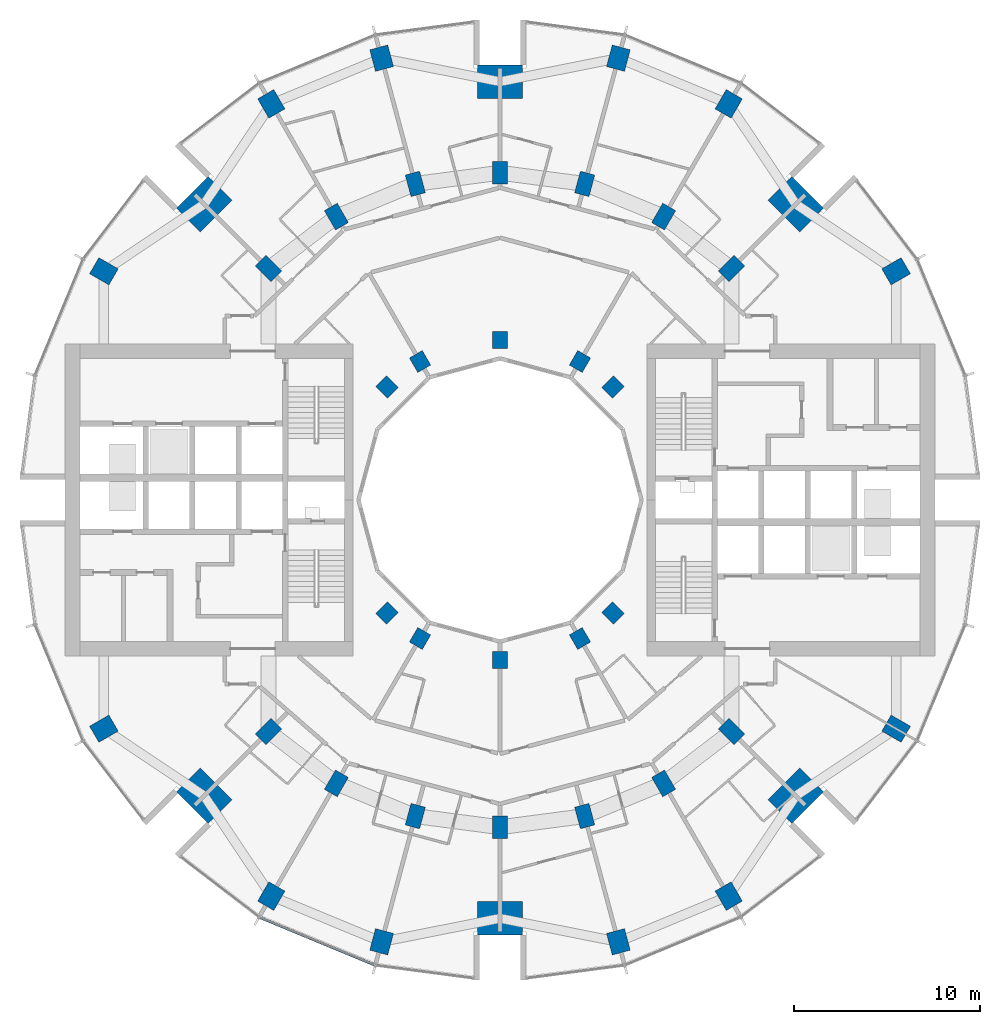
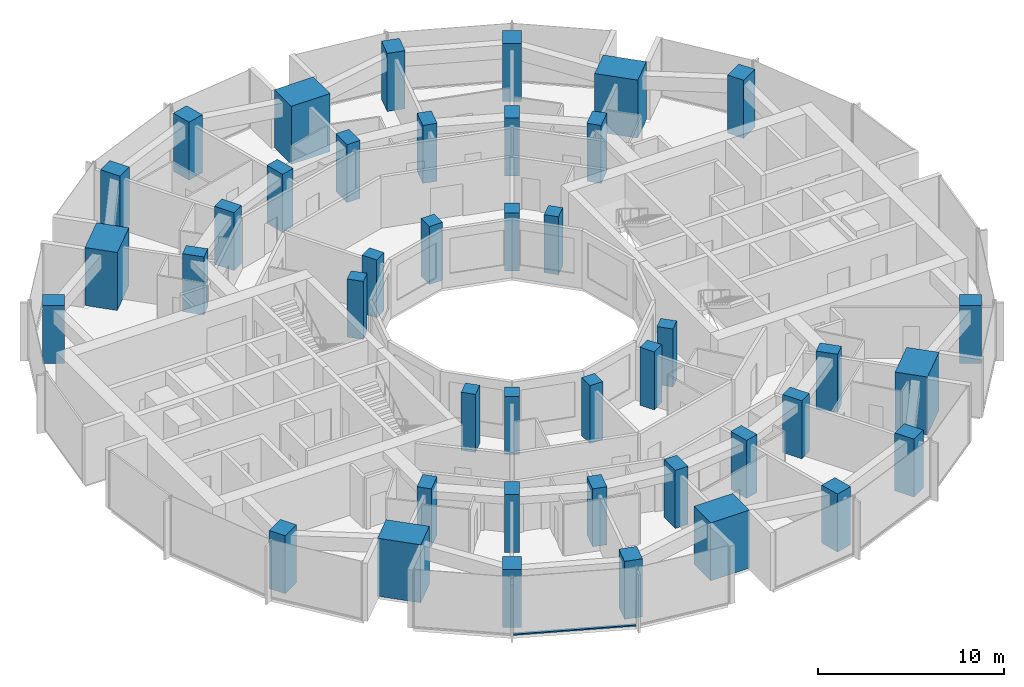
# One storey, part 1 of 15: 42 columns, 1 member, 1 element without a shape of its own.
"""IFC4 building model written with IfcOpenShell, lengths in metres."""

from ifc_helpers import new_model, si_unit, direction, frame, origin, origin_2d, place, context, subcontext, project, spatial, rectangle, extrude, material, layer, layer_set, material_profile, profile_set, type_object, element, aggregate, save


model = new_model("IFC4")

# Units and contexts
model_context = context("Model", 3, precision=1e-05, world=origin(), true_north=direction((0.0, 1.0)))
body_context = subcontext(model_context, "Body", "Model", "MODEL_VIEW")
ifc_project = project(units=[si_unit("LENGTHUNIT", "METRE"), si_unit("AREAUNIT", "SQUARE_METRE"), si_unit("VOLUMEUNIT", "CUBIC_METRE"), si_unit("PLANEANGLEUNIT", "RADIAN"), si_unit("MASSUNIT", "GRAM", prefix="KILO")], contexts=[model_context])

# Site, building, storey
site_placement = place(None, origin())
site = spatial("IfcSite", under=ifc_project, at=site_placement, CompositionType="ELEMENT")
building_placement = place(site_placement, origin())
building = spatial("IfcBuilding", under=site, at=building_placement, Name="Torre Brocal", CompositionType="ELEMENT")
storey_placement = place(building_placement, frame((0.0, 0.0, 44.0)))
storey = spatial("IfcBuildingStorey", under=building, at=storey_placement, Name="L09", CompositionType="ELEMENT", Elevation=44.0)

# Columns
ifc_material_1 = material(Name="Concrete C80", Category="concrete")
ifc_material_profile_1 = material_profile(ifc_material_1, rectangle(XDim=1.199951171875, YDim=1.0, at=origin_2d()), Name="RC 1200X1000")
ifc_profile_set_1 = profile_set([ifc_material_profile_1], Name="Concrete C80")
column_type_1 = type_object("IfcColumnType", Name="RC COLUMN 1200X1000 C80", PredefinedType="COLUMN", material=ifc_profile_set_1)
for number, where, z_axis, x_axis, name in (
    (1, (101.30419921875, 87.300048828125, 0.0), (0.0, 0.0, 1.0), (0.866025403784, 0.5, 0.0), "Column C-O02"),
    (2, (92.300048828125, 96.30419921875, 0.0), (0.0, 0.0, 1.0), (0.5, 0.866025403784, 0.0), "Column C-O04"),
    (3, (86.366943359375, 98.76171875, 0.0), (0.0, 0.0, 1.0), (0.258819045103, 0.965925826289, 0.0), "Column C-O05"),
    (4, (73.633056640625, 98.76171875, 0.0), (0.0, 0.0, 1.0), (-0.258819045103, 0.965925826289, 0.0), "Column C-O07"),
    (5, (67.699951171875, 96.30419921875, 0.0), (0.0, 0.0, 1.0), (-0.5, 0.866025403784, 0.0), "Column C-O08"),
    (6, (58.69580078125, 87.300048828125, 0.0), (0.0, 0.0, 1.0), (-0.866025403784, 0.5, 0.0), "Column C-O10"),
    (7, (58.69580078125, 62.699951171875, 0.0), (0.0, 0.0, 1.0), (-0.866025403784, -0.5, 0.0), "Column C-O14"),
    (8, (67.699951171875, 53.69580078125, 0.0), (0.0, 0.0, 1.0), (-0.5, -0.866025403784, 0.0), "Column C-O16"),
    (9, (73.633056640625, 51.23828125, 0.0), (0.0, 0.0, 1.0), (-0.258819045103, -0.965925826289, 0.0), "Column C-O17"),
    (10, (86.366943359375, 51.23828125, 0.0), (0.0, 0.0, 1.0), (0.258819045103, -0.965925826289, 0.0), "Column C-O19"),
    (11, (92.300048828125, 53.69580078125, 0.0), (0.0, 0.0, 1.0), (0.5, -0.866025403784, 0.0), "Column C-O20"),
    (12, (101.30419921875, 62.699951171875, 0.0), (0.0, 0.0, 1.0), (0.866025403784, -0.5, 0.0), "Column C-O22"),
):
    element("IfcColumn", number, at=place(storey_placement, frame(where, z_axis=z_axis, x_axis=x_axis)), inside=storey, type_object=column_type_1, Name=name, PredefinedType="COLUMN", context=body_context, shape_type="SweptSolid", body=[
        extrude(rectangle(XDim=1.199951171875, YDim=1.0, at=origin_2d()), origin(), (0.0, 0.0, 1.0), 3.800048828125),
    ])
ifc_material_2 = material(Name="Concrete C80", Category="concrete")
ifc_material_profile_2 = material_profile(ifc_material_2, rectangle(XDim=1.199951171875, YDim=0.800048828125, at=origin_2d()), Name="RC 1200X800")
ifc_profile_set_2 = profile_set([ifc_material_profile_2], Name="Concrete C80")
column_type_2 = type_object("IfcColumnType", Name="RC COLUMN 1200X800 C80", PredefinedType="COLUMN", material=ifc_profile_set_2)
for number, where, z_axis, x_axis, name in (
    (13, (92.445068359375, 87.445068359375, 0.0), (0.0, 0.0, 1.0), (0.707106781187, 0.707106781187, 0.0), "Column C-M03"),
    (14, (88.800048828125, 90.241943359375, 0.0), (0.0, 0.0, 1.0), (0.5, 0.866025403784, 0.0), "Column C-M04"),
    (15, (84.55517578125, 92.000244140625, 0.0), (0.0, 0.0, 1.0), (0.258819045103, 0.965925826289, 0.0), "Column C-M05"),
    (16, (80.0, 92.60009765625, 0.0), (0.0, 0.0, 1.0), (0.0, 1.0, 0.0), "Column C-M06"),
    (17, (75.44482421875, 92.000244140625, 0.0), (0.0, 0.0, 1.0), (-0.258819045103, 0.965925826289, 0.0), "Column C-M07"),
    (18, (71.199951171875, 90.241943359375, 0.0), (0.0, 0.0, 1.0), (-0.5, 0.866025403784, 0.0), "Column C-M08"),
    (19, (67.554931640625, 87.445068359375, 0.0), (0.0, 0.0, 1.0), (-0.707106781187, 0.707106781187, 0.0), "Column C-M09"),
    (20, (67.554931640625, 62.554931640625, 0.0), (0.0, 0.0, 1.0), (-0.707106781187, -0.707106781187, 0.0), "Column C-M15"),
    (21, (71.199951171875, 59.758056640625, 0.0), (0.0, 0.0, 1.0), (-0.5, -0.866025403784, 0.0), "Column C-M16"),
    (22, (75.44482421875, 57.999755859375, 0.0), (0.0, 0.0, 1.0), (-0.258819045103, -0.965925826289, 0.0), "Column C-M17"),
    (23, (80.0, 57.39990234375, 0.0), (0.0, 0.0, 1.0), (0.0, -1.0, 0.0), "Column C-M18"),
    (24, (84.55517578125, 57.999755859375, 0.0), (0.0, 0.0, 1.0), (0.258819045103, -0.965925826289, 0.0), "Column C-M19"),
    (25, (88.800048828125, 59.758056640625, 0.0), (0.0, 0.0, 1.0), (0.5, -0.866025403784, 0.0), "Column C-M20"),
    (26, (92.445068359375, 62.554931640625, 0.0), (0.0, 0.0, 1.0), (0.707106781187, -0.707106781187, 0.0), "Column C-M21"),
):
    element("IfcColumn", number, at=place(storey_placement, frame(where, z_axis=z_axis, x_axis=x_axis)), inside=storey, type_object=column_type_2, Name=name, PredefinedType="COLUMN", context=body_context, shape_type="SweptSolid", body=[
        extrude(rectangle(XDim=1.199951171875, YDim=0.800048828125, at=origin_2d()), origin(), (0.0, 0.0, 1.0), 3.800048828125),
    ])
ifc_material_3 = material(Name="Concrete C80", Category="concrete")
ifc_material_profile_3 = material_profile(ifc_material_3, rectangle(XDim=1.800048828125, YDim=2.39990234375, at=origin_2d()), Name="RC 1800X2400")
ifc_profile_set_3 = profile_set([ifc_material_profile_3], Name="Concrete C80")
column_type_3 = type_object("IfcColumnType", Name="RC COLUMN 1800X2400 C80", PredefinedType="COLUMN", material=ifc_profile_set_3)
for number, where, z_axis, x_axis, name in (
    (27, (95.909912109375, 90.909912109375, 0.0), (0.0, 0.0, 1.0), (0.707106781187, 0.707106781187, 0.0), "Column MC-1"),
    (28, (80.0, 97.5, 0.0), (0.0, 0.0, 1.0), (0.0, 1.0, 0.0), "Column MC-2"),
    (29, (64.090087890625, 90.909912109375, 0.0), (0.0, 0.0, 1.0), (-0.707106781187, 0.707106781187, 0.0), "Column MC-3"),
    (30, (64.090087890625, 59.090087890625, 0.0), (0.0, 0.0, 1.0), (-0.707106781187, -0.707106781187, 0.0), "Column MC-5"),
    (31, (80.0, 52.5, 0.0), (0.0, 0.0, 1.0), (0.0, -1.0, 0.0), "Column MC-6"),
    (32, (95.909912109375, 59.090087890625, 0.0), (0.0, 0.0, 1.0), (0.707106781187, -0.707106781187, 0.0), "Column MC-7"),
):
    element("IfcColumn", number, at=place(storey_placement, frame(where, z_axis=z_axis, x_axis=x_axis)), inside=storey, type_object=column_type_3, Name=name, PredefinedType="COLUMN", context=body_context, shape_type="SweptSolid", body=[
        extrude(rectangle(XDim=1.800048828125, YDim=2.39990234375, at=origin_2d()), origin(), (0.0, 0.0, 1.0), 3.800048828125),
    ])
ifc_material_4 = material(Name="Concrete C80", Category="concrete")
ifc_material_profile_4 = material_profile(ifc_material_4, rectangle(XDim=0.89990234375, YDim=0.800048828125, at=origin_2d()), Name="RC 900X800")
ifc_profile_set_4 = profile_set([ifc_material_profile_4], Name="Concrete C80")
column_type_4 = type_object("IfcColumnType", Name="RC COLUMN 900X800 C80", PredefinedType="COLUMN", material=ifc_profile_set_4)
for number, where, z_axis, x_axis, name in (
    (33, (86.0810546875, 81.0810546875, 0.0), (0.0, 0.0, 1.0), (0.707106781187, 0.707106781187, 0.0), "Column C-I03"),
    (34, (84.300048828125, 82.44775390625, 0.0), (0.0, 0.0, 1.0), (0.5, 0.866025403784, 0.0), "Column C-I04"),
    (35, (80.0, 83.60009765625, 0.0), (0.0, 0.0, 1.0), (0.0, 1.0, 0.0), "Column C-I06"),
    (36, (75.699951171875, 82.44775390625, 0.0), (0.0, 0.0, 1.0), (-0.5, 0.866025403784, 0.0), "Column C-I08"),
    (37, (73.9189453125, 81.0810546875, 0.0), (0.0, 0.0, 1.0), (-0.707106781187, 0.707106781187, 0.0), "Column C-I09"),
    (38, (73.9189453125, 68.9189453125, 0.0), (0.0, 0.0, 1.0), (-0.707106781187, -0.707106781187, 0.0), "Column C-I15"),
    (39, (75.699951171875, 67.55224609375, 0.0), (0.0, 0.0, 1.0), (-0.5, -0.866025403784, 0.0), "Column C-I16"),
    (40, (80.0, 66.39990234375, 0.0), (0.0, 0.0, 1.0), (0.0, -1.0, 0.0), "Column C-I18"),
    (41, (84.300048828125, 67.55224609375, 0.0), (0.0, 0.0, 1.0), (0.5, -0.866025403784, 0.0), "Column C-I20"),
    (42, (86.0810546875, 68.9189453125, 0.0), (0.0, 0.0, 1.0), (0.707106781187, -0.707106781187, 0.0), "Column C-I21"),
):
    element("IfcColumn", number, at=place(storey_placement, frame(where, z_axis=z_axis, x_axis=x_axis)), inside=storey, type_object=column_type_4, Name=name, PredefinedType="COLUMN", context=body_context, shape_type="SweptSolid", body=[
        extrude(rectangle(XDim=0.89990234375, YDim=0.800048828125, at=origin_2d()), origin(), (0.0, 0.0, 1.0), 3.800048828125),
    ])

# Curtain wall, member
ifc_material_5 = material(Name="Aluminium and glass", Category="aluminium")
ifc_layer = layer(ifc_material_5, 0.199951171875)
ifc_layer_set = layer_set([ifc_layer], Name="Aluminium and glass")
curtain_wall_type = type_object("IfcCurtainWallType", Name="CW-1 CURTAIN WALL 3800 HIGH", PredefinedType="NOTDEFINED", material=ifc_layer_set)
curtain_wall_placement = place(storey_placement, origin())
curtain_wall = element("IfcCurtainWall", 43, at=curtain_wall_placement, inside=storey, type_object=curtain_wall_type, Name="CW-1 RUN 17", PredefinedType="NOTDEFINED")
ifc_material_6 = material(Name="Aluminium, dark anodised", Category="aluminium")
ifc_material_profile_5 = material_profile(ifc_material_6, rectangle(XDim=0.159912109375, YDim=0.080078125, at=origin_2d()), Name="CW-1 TRANSOM 160X80")
ifc_profile_set_5 = profile_set([ifc_material_profile_5], Name="Aluminium, dark anodised")
member_type = type_object("IfcMemberType", Name="CW-1 TRANSOM 160X80", PredefinedType="USERDEFINED", material=ifc_profile_set_5)
member_placement = place(storey_placement, frame((67.10595703125, 52.547607421875, 0.0400390625), z_axis=(0.923887344364, -0.38266457234, 0.0), x_axis=(0.38266457234, 0.923887344364, 0.0)))
member = element("IfcMember", 44, at=member_placement, type_object=member_type, Name="CW1-1 transom 1.1", ObjectType="TRANSOM", PredefinedType="USERDEFINED", context=body_context, shape_type="SweptSolid", body=[
    extrude(rectangle(XDim=0.159912109375, YDim=0.080078125, at=origin_2d()), origin(), (0.0, 0.0, 1.0), 6.640869140625),
])
aggregate(curtain_wall, [member])

save(model, "model.ifc")
